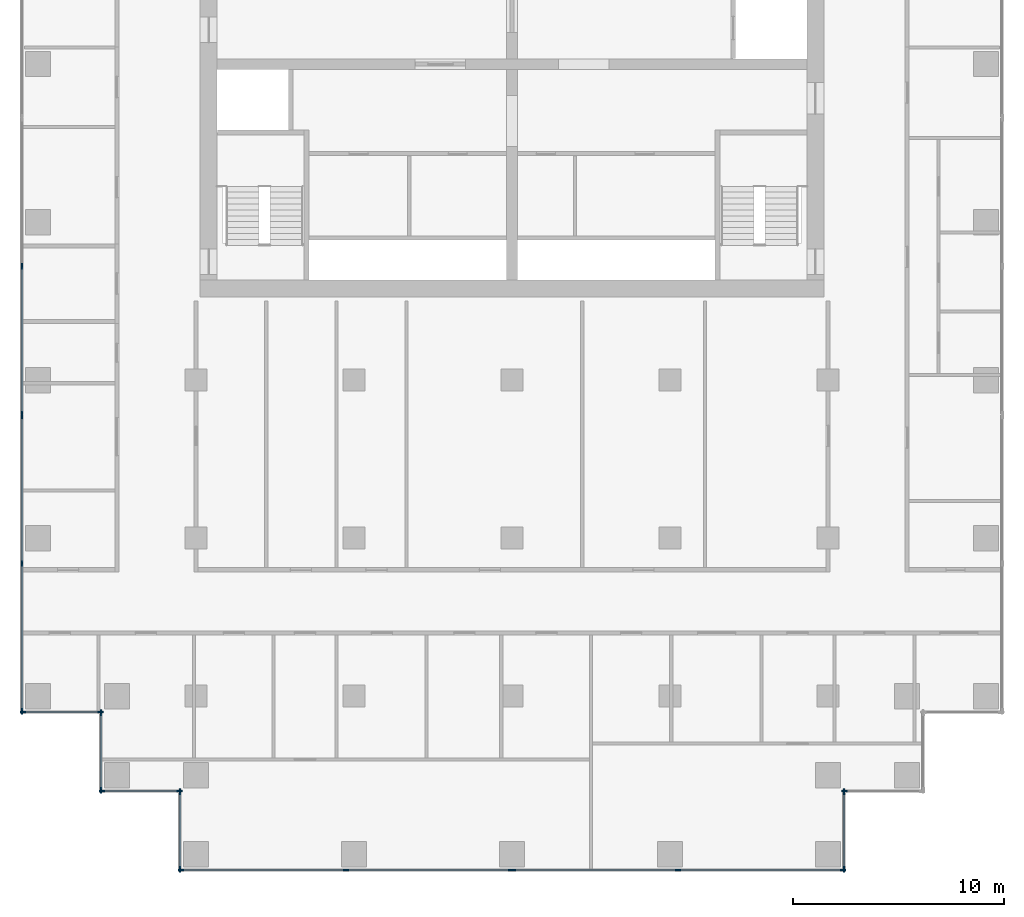
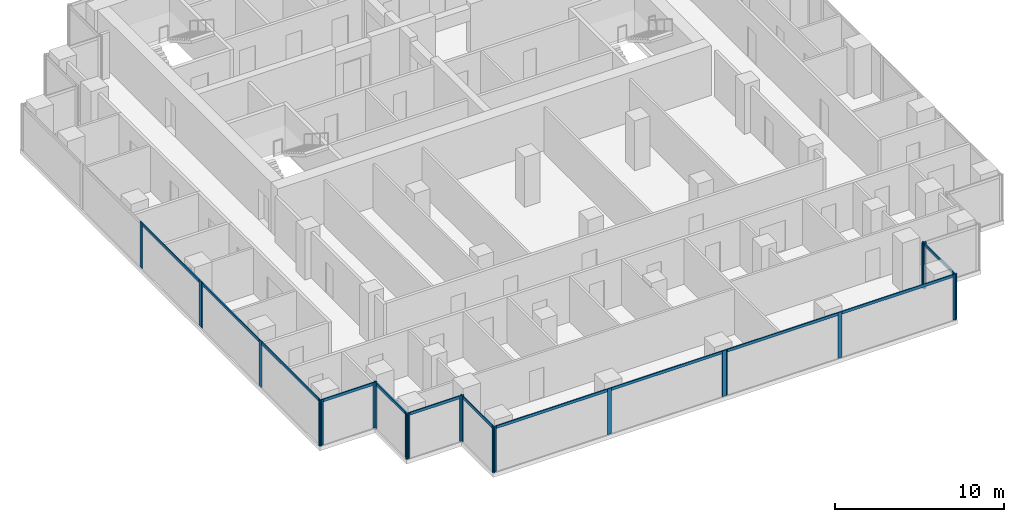
# One storey, part 2 of 11: 34 members, 10 elements without a shape of their own.
"""IFC4 building model written with IfcOpenShell, lengths in metres."""

from ifc_helpers import new_model, si_unit, direction, frame, origin, origin_2d, place, context, subcontext, project, spatial, rectangle, extrude, material, material_profile, profile_set, type_object, element, aggregate, save


model = new_model("IFC4")

# Units and contexts
model_context = context("Model", 3, precision=1e-05, world=origin(), true_north=direction((0.0, 1.0)))
body_context = subcontext(model_context, "Body", "Model", "MODEL_VIEW")
ifc_project = project(units=[si_unit("LENGTHUNIT", "METRE"), si_unit("AREAUNIT", "SQUARE_METRE"), si_unit("VOLUMEUNIT", "CUBIC_METRE"), si_unit("PLANEANGLEUNIT", "RADIAN"), si_unit("MASSUNIT", "GRAM", prefix="KILO")], contexts=[model_context])

# Site, building, storey
site_placement = place(None, origin())
site = spatial("IfcSite", under=ifc_project, at=site_placement, CompositionType="ELEMENT")
building_placement = place(site_placement, origin())
building = spatial("IfcBuilding", under=site, at=building_placement, Name="Pilkhan Gate Tower", CompositionType="ELEMENT")
storey_placement = place(building_placement, frame((0.0, 0.0, 172.89990234375)))
storey = spatial("IfcBuildingStorey", under=building, at=storey_placement, Name="L44", CompositionType="ELEMENT", Elevation=172.89990234375)

# Curtain wall, members
ifc_material_1 = material(Name="Pale anodised aluminium, clear low-iron double glazing", Category="aluminium")
curtain_wall_type = type_object("IfcCurtainWallType", Name="Office unitised curtain wall CW-O1", PredefinedType="USERDEFINED", material=ifc_material_1)
curtain_wall_1_placement = place(storey_placement, origin())
curtain_wall_1 = element("IfcCurtainWall", 1, at=curtain_wall_1_placement, inside=storey, type_object=curtain_wall_type, Name="Office unitised curtain wall CW-O1 L44 W", ObjectType="UNITISED CURTAIN WALL", PredefinedType="USERDEFINED")
ifc_material_2 = material(Name="Pale anodised aluminium", Category="aluminium")
ifc_material_profile_1 = material_profile(ifc_material_2, rectangle(XDim=0.070068359375, YDim=0.27490234375, at=origin_2d()), Name="Mullion 275x70")
ifc_profile_set_1 = profile_set([ifc_material_profile_1], Name="Pale anodised aluminium")
member_type_1 = type_object("IfcMemberType", Name="Mullion CW-O1 275x70", PredefinedType="MULLION", material=ifc_profile_set_1)
member_1_placement = place(storey_placement, frame((51.75, 51.784912109375, 0.0), z_axis=(0.0, 0.0, 1.0), x_axis=(-1.0, 0.0, 0.0)))
member_1 = element("IfcMember", 2, at=member_1_placement, type_object=member_type_1, Name="CW-O1 mullion 1", PredefinedType="MULLION", context=body_context, shape_type="SweptSolid", body=[
    extrude(rectangle(XDim=0.070068359375, YDim=0.27490234375, at=origin_2d()), origin(), (0.0, 0.0, 1.0), 3.300048828125),
])
member_2_placement = place(storey_placement, frame((51.75, 58.800048828125, 0.0), z_axis=(0.0, 0.0, 1.0), x_axis=(-1.0, 0.0, 0.0)))
member_2 = element("IfcMember", 3, at=member_2_placement, type_object=member_type_1, Name="CW-O1 mullion 2", PredefinedType="MULLION", context=body_context, shape_type="SweptSolid", body=[
    extrude(rectangle(XDim=0.070068359375, YDim=0.27490234375, at=origin_2d()), origin(), (0.0, 0.0, 1.0), 3.300048828125),
])
member_3_placement = place(storey_placement, frame((51.75, 65.81494140625, 0.0), z_axis=(0.0, 0.0, 1.0), x_axis=(-1.0, 0.0, 0.0)))
member_3 = element("IfcMember", 4, at=member_3_placement, type_object=member_type_1, Name="CW-O1 mullion 3", PredefinedType="MULLION", context=body_context, shape_type="SweptSolid", body=[
    extrude(rectangle(XDim=0.070068359375, YDim=0.27490234375, at=origin_2d()), origin(), (0.0, 0.0, 1.0), 3.300048828125),
])

curtain_wall_2_placement = place(storey_placement, origin())
curtain_wall_2 = element("IfcCurtainWall", 5, at=curtain_wall_2_placement, inside=storey, type_object=curtain_wall_type, Name="Office unitised curtain wall CW-O1 L44 W", ObjectType="UNITISED CURTAIN WALL", PredefinedType="USERDEFINED")
member_4_placement = place(storey_placement, frame((51.75, 65.885009765625, 0.0), z_axis=(0.0, 0.0, 1.0), x_axis=(-1.0, 0.0, 0.0)))
member_4 = element("IfcMember", 6, at=member_4_placement, type_object=member_type_1, Name="CW-O1 mullion 1", PredefinedType="MULLION", context=body_context, shape_type="SweptSolid", body=[
    extrude(rectangle(XDim=0.070068359375, YDim=0.27490234375, at=origin_2d()), origin(), (0.0, 0.0, 1.0), 3.300048828125),
])
member_5_placement = place(storey_placement, frame((51.75, 72.89990234375, 0.0), z_axis=(0.0, 0.0, 1.0), x_axis=(-1.0, 0.0, 0.0)))
member_5 = element("IfcMember", 7, at=member_5_placement, type_object=member_type_1, Name="CW-O1 mullion 2", PredefinedType="MULLION", context=body_context, shape_type="SweptSolid", body=[
    extrude(rectangle(XDim=0.070068359375, YDim=0.27490234375, at=origin_2d()), origin(), (0.0, 0.0, 1.0), 3.300048828125),
])

curtain_wall_3_placement = place(storey_placement, origin())
curtain_wall_3 = element("IfcCurtainWall", 8, at=curtain_wall_3_placement, inside=storey, type_object=curtain_wall_type, Name="Office unitised curtain wall CW-O1 L44 S", ObjectType="UNITISED CURTAIN WALL", PredefinedType="USERDEFINED")
member_6_placement = place(storey_placement, frame((51.784912109375, 51.75, 0.0), z_axis=(0.0, 0.0, 1.0), x_axis=(0.0, 1.0, 0.0)))
member_6 = element("IfcMember", 9, at=member_6_placement, type_object=member_type_1, Name="CW-O1 mullion 1", PredefinedType="MULLION", context=body_context, shape_type="SweptSolid", body=[
    extrude(rectangle(XDim=0.070068359375, YDim=0.27490234375, at=origin_2d()), origin(), (0.0, 0.0, 1.0), 3.300048828125),
])
member_7_placement = place(storey_placement, frame((55.465087890625, 51.75, 0.0), z_axis=(0.0, 0.0, 1.0), x_axis=(0.0, 1.0, 0.0)))
member_7 = element("IfcMember", 10, at=member_7_placement, type_object=member_type_1, Name="CW-O1 mullion 2", PredefinedType="MULLION", context=body_context, shape_type="SweptSolid", body=[
    extrude(rectangle(XDim=0.070068359375, YDim=0.27490234375, at=origin_2d()), origin(), (0.0, 0.0, 1.0), 3.300048828125),
])

curtain_wall_4_placement = place(storey_placement, origin())
curtain_wall_4 = element("IfcCurtainWall", 11, at=curtain_wall_4_placement, inside=storey, type_object=curtain_wall_type, Name="Office unitised curtain wall CW-O1 L44 W", ObjectType="UNITISED CURTAIN WALL", PredefinedType="USERDEFINED")
member_8_placement = place(storey_placement, frame((55.5, 48.034912109375, 0.0), z_axis=(0.0, 0.0, 1.0), x_axis=(-1.0, 0.0, 0.0)))
member_8 = element("IfcMember", 12, at=member_8_placement, type_object=member_type_1, Name="CW-O1 mullion 1", PredefinedType="MULLION", context=body_context, shape_type="SweptSolid", body=[
    extrude(rectangle(XDim=0.070068359375, YDim=0.27490234375, at=origin_2d()), origin(), (0.0, 0.0, 1.0), 3.300048828125),
])
member_9_placement = place(storey_placement, frame((55.5, 51.715087890625, 0.0), z_axis=(0.0, 0.0, 1.0), x_axis=(-1.0, 0.0, 0.0)))
member_9 = element("IfcMember", 13, at=member_9_placement, type_object=member_type_1, Name="CW-O1 mullion 2", PredefinedType="MULLION", context=body_context, shape_type="SweptSolid", body=[
    extrude(rectangle(XDim=0.070068359375, YDim=0.27490234375, at=origin_2d()), origin(), (0.0, 0.0, 1.0), 3.300048828125),
])

curtain_wall_5_placement = place(storey_placement, origin())
curtain_wall_5 = element("IfcCurtainWall", 14, at=curtain_wall_5_placement, inside=storey, type_object=curtain_wall_type, Name="Office unitised curtain wall CW-O1 L44 S", ObjectType="UNITISED CURTAIN WALL", PredefinedType="USERDEFINED")
member_10_placement = place(storey_placement, frame((55.534912109375, 48.0, 0.0), z_axis=(0.0, 0.0, 1.0), x_axis=(0.0, 1.0, 0.0)))
member_10 = element("IfcMember", 15, at=member_10_placement, type_object=member_type_1, Name="CW-O1 mullion 1", PredefinedType="MULLION", context=body_context, shape_type="SweptSolid", body=[
    extrude(rectangle(XDim=0.070068359375, YDim=0.27490234375, at=origin_2d()), origin(), (0.0, 0.0, 1.0), 3.300048828125),
])
member_11_placement = place(storey_placement, frame((59.215087890625, 48.0, 0.0), z_axis=(0.0, 0.0, 1.0), x_axis=(0.0, 1.0, 0.0)))
member_11 = element("IfcMember", 16, at=member_11_placement, type_object=member_type_1, Name="CW-O1 mullion 2", PredefinedType="MULLION", context=body_context, shape_type="SweptSolid", body=[
    extrude(rectangle(XDim=0.070068359375, YDim=0.27490234375, at=origin_2d()), origin(), (0.0, 0.0, 1.0), 3.300048828125),
])

curtain_wall_6_placement = place(storey_placement, origin())
curtain_wall_6 = element("IfcCurtainWall", 17, at=curtain_wall_6_placement, inside=storey, type_object=curtain_wall_type, Name="Office unitised curtain wall CW-O1 L44 W", ObjectType="UNITISED CURTAIN WALL", PredefinedType="USERDEFINED")
member_12_placement = place(storey_placement, frame((59.25, 44.284912109375, 0.0), z_axis=(0.0, 0.0, 1.0), x_axis=(-1.0, 0.0, 0.0)))
member_12 = element("IfcMember", 18, at=member_12_placement, type_object=member_type_1, Name="CW-O1 mullion 1", PredefinedType="MULLION", context=body_context, shape_type="SweptSolid", body=[
    extrude(rectangle(XDim=0.070068359375, YDim=0.27490234375, at=origin_2d()), origin(), (0.0, 0.0, 1.0), 3.300048828125),
])
member_13_placement = place(storey_placement, frame((59.25, 47.965087890625, 0.0), z_axis=(0.0, 0.0, 1.0), x_axis=(-1.0, 0.0, 0.0)))
member_13 = element("IfcMember", 19, at=member_13_placement, type_object=member_type_1, Name="CW-O1 mullion 2", PredefinedType="MULLION", context=body_context, shape_type="SweptSolid", body=[
    extrude(rectangle(XDim=0.070068359375, YDim=0.27490234375, at=origin_2d()), origin(), (0.0, 0.0, 1.0), 3.300048828125),
])

curtain_wall_7_placement = place(storey_placement, origin())
curtain_wall_7 = element("IfcCurtainWall", 20, at=curtain_wall_7_placement, inside=storey, type_object=curtain_wall_type, Name="Office unitised curtain wall CW-O1 L44 S", ObjectType="UNITISED CURTAIN WALL", PredefinedType="USERDEFINED")
member_14_placement = place(storey_placement, frame((59.284912109375, 44.25, 0.0), z_axis=(0.0, 0.0, 1.0), x_axis=(0.0, 1.0, 0.0)))
member_14 = element("IfcMember", 21, at=member_14_placement, type_object=member_type_1, Name="CW-O1 mullion 1", PredefinedType="MULLION", context=body_context, shape_type="SweptSolid", body=[
    extrude(rectangle(XDim=0.070068359375, YDim=0.27490234375, at=origin_2d()), origin(), (0.0, 0.0, 1.0), 3.300048828125),
])
member_15_placement = place(storey_placement, frame((67.125, 44.25, 0.0), z_axis=(0.0, 0.0, 1.0), x_axis=(0.0, 1.0, 0.0)))
member_15 = element("IfcMember", 22, at=member_15_placement, type_object=member_type_1, Name="CW-O1 mullion 2", PredefinedType="MULLION", context=body_context, shape_type="SweptSolid", body=[
    extrude(rectangle(XDim=0.070068359375, YDim=0.27490234375, at=origin_2d()), origin(), (0.0, 0.0, 1.0), 3.300048828125),
])
member_16_placement = place(storey_placement, frame((74.965087890625, 44.25, 0.0), z_axis=(0.0, 0.0, 1.0), x_axis=(0.0, 1.0, 0.0)))
member_16 = element("IfcMember", 23, at=member_16_placement, type_object=member_type_1, Name="CW-O1 mullion 3", PredefinedType="MULLION", context=body_context, shape_type="SweptSolid", body=[
    extrude(rectangle(XDim=0.070068359375, YDim=0.27490234375, at=origin_2d()), origin(), (0.0, 0.0, 1.0), 3.300048828125),
])

curtain_wall_8_placement = place(storey_placement, origin())
curtain_wall_8 = element("IfcCurtainWall", 24, at=curtain_wall_8_placement, inside=storey, type_object=curtain_wall_type, Name="Office unitised curtain wall CW-O1 L44 S", ObjectType="UNITISED CURTAIN WALL", PredefinedType="USERDEFINED")
member_17_placement = place(storey_placement, frame((75.034912109375, 44.25, 0.0), z_axis=(0.0, 0.0, 1.0), x_axis=(0.0, 1.0, 0.0)))
member_17 = element("IfcMember", 25, at=member_17_placement, type_object=member_type_1, Name="CW-O1 mullion 1", PredefinedType="MULLION", context=body_context, shape_type="SweptSolid", body=[
    extrude(rectangle(XDim=0.070068359375, YDim=0.27490234375, at=origin_2d()), origin(), (0.0, 0.0, 1.0), 3.300048828125),
])
member_18_placement = place(storey_placement, frame((82.875, 44.25, 0.0), z_axis=(0.0, 0.0, 1.0), x_axis=(0.0, 1.0, 0.0)))
member_18 = element("IfcMember", 26, at=member_18_placement, type_object=member_type_1, Name="CW-O1 mullion 2", PredefinedType="MULLION", context=body_context, shape_type="SweptSolid", body=[
    extrude(rectangle(XDim=0.070068359375, YDim=0.27490234375, at=origin_2d()), origin(), (0.0, 0.0, 1.0), 3.300048828125),
])
member_19_placement = place(storey_placement, frame((90.715087890625, 44.25, 0.0), z_axis=(0.0, 0.0, 1.0), x_axis=(0.0, 1.0, 0.0)))
member_19 = element("IfcMember", 27, at=member_19_placement, type_object=member_type_1, Name="CW-O1 mullion 3", PredefinedType="MULLION", context=body_context, shape_type="SweptSolid", body=[
    extrude(rectangle(XDim=0.070068359375, YDim=0.27490234375, at=origin_2d()), origin(), (0.0, 0.0, 1.0), 3.300048828125),
])

curtain_wall_9_placement = place(storey_placement, origin())
curtain_wall_9 = element("IfcCurtainWall", 28, at=curtain_wall_9_placement, inside=storey, type_object=curtain_wall_type, Name="Office unitised curtain wall CW-O1 L44 E", ObjectType="UNITISED CURTAIN WALL", PredefinedType="USERDEFINED")
member_20_placement = place(storey_placement, frame((90.75, 44.284912109375, 0.0), z_axis=(0.0, 0.0, 1.0), x_axis=(-1.0, 0.0, 0.0)))
member_20 = element("IfcMember", 29, at=member_20_placement, type_object=member_type_1, Name="CW-O1 mullion 1", PredefinedType="MULLION", context=body_context, shape_type="SweptSolid", body=[
    extrude(rectangle(XDim=0.070068359375, YDim=0.27490234375, at=origin_2d()), origin(), (0.0, 0.0, 1.0), 3.300048828125),
])
member_21_placement = place(storey_placement, frame((90.75, 47.965087890625, 0.0), z_axis=(0.0, 0.0, 1.0), x_axis=(-1.0, 0.0, 0.0)))
member_21 = element("IfcMember", 30, at=member_21_placement, type_object=member_type_1, Name="CW-O1 mullion 2", PredefinedType="MULLION", context=body_context, shape_type="SweptSolid", body=[
    extrude(rectangle(XDim=0.070068359375, YDim=0.27490234375, at=origin_2d()), origin(), (0.0, 0.0, 1.0), 3.300048828125),
])

# Curtain wall, member
curtain_wall_10_placement = place(storey_placement, origin())
curtain_wall_10 = element("IfcCurtainWall", 31, at=curtain_wall_10_placement, inside=storey, type_object=curtain_wall_type, Name="Office unitised curtain wall CW-O1 L44 S", ObjectType="UNITISED CURTAIN WALL", PredefinedType="USERDEFINED")
member_22_placement = place(storey_placement, frame((90.784912109375, 48.0, 0.0), z_axis=(0.0, 0.0, 1.0), x_axis=(0.0, 1.0, 0.0)))
member_22 = element("IfcMember", 32, at=member_22_placement, type_object=member_type_1, Name="CW-O1 mullion 1", PredefinedType="MULLION", context=body_context, shape_type="SweptSolid", body=[
    extrude(rectangle(XDim=0.070068359375, YDim=0.27490234375, at=origin_2d()), origin(), (0.0, 0.0, 1.0), 3.300048828125),
])
aggregate(curtain_wall_10, [member_22])

# Member
ifc_material_profile_2 = material_profile(ifc_material_2, rectangle(XDim=0.070068359375, YDim=0.199951171875, at=origin_2d()), Name="Transom 200x70")
ifc_profile_set_2 = profile_set([ifc_material_profile_2], Name="Pale anodised aluminium")
member_type_2 = type_object("IfcMemberType", Name="Transom CW-O1 200x70", PredefinedType="USERDEFINED", material=ifc_profile_set_2)
member_23_placement = place(storey_placement, frame((51.75, 51.820068359375, 3.2001953125), z_axis=(0.0, 1.0, 0.0), x_axis=(-1.0, 0.0, 0.0)))
member_23 = element("IfcMember", 33, at=member_23_placement, type_object=member_type_2, Name="CW-O1 transom 1", ObjectType="TRANSOM", PredefinedType="USERDEFINED", context=body_context, shape_type="SweptSolid", body=[
    extrude(rectangle(XDim=0.070068359375, YDim=0.199951171875, at=origin_2d()), origin(), (0.0, 0.0, 1.0), 6.94482421875),
])

member_24_placement = place(storey_placement, frame((51.75, 58.8349609375, 3.2001953125), z_axis=(0.0, 1.0, 0.0), x_axis=(-1.0, 0.0, 0.0)))
member_24 = element("IfcMember", 34, at=member_24_placement, type_object=member_type_2, Name="CW-O1 transom 2", ObjectType="TRANSOM", PredefinedType="USERDEFINED", context=body_context, shape_type="SweptSolid", body=[
    extrude(rectangle(XDim=0.070068359375, YDim=0.199951171875, at=origin_2d()), origin(), (0.0, 0.0, 1.0), 6.945068359375),
])

aggregate(curtain_wall_1, [member_1, member_2, member_3, member_23, member_24])

member_25_placement = place(storey_placement, frame((51.75, 65.919921875, 3.2001953125), z_axis=(0.0, 1.0, 0.0), x_axis=(-1.0, 0.0, 0.0)))
member_25 = element("IfcMember", 35, at=member_25_placement, type_object=member_type_2, Name="CW-O1 transom 1", ObjectType="TRANSOM", PredefinedType="USERDEFINED", context=body_context, shape_type="SweptSolid", body=[
    extrude(rectangle(XDim=0.070068359375, YDim=0.199951171875, at=origin_2d()), origin(), (0.0, 0.0, 1.0), 6.945068359375),
])

aggregate(curtain_wall_2, [member_4, member_5, member_25])

member_26_placement = place(storey_placement, frame((51.820068359375, 51.75, 3.2001953125), z_axis=(1.0, 0.0, 0.0), x_axis=(0.0, 1.0, 0.0)))
member_26 = element("IfcMember", 36, at=member_26_placement, type_object=member_type_2, Name="CW-O1 transom 1", ObjectType="TRANSOM", PredefinedType="USERDEFINED", context=body_context, shape_type="SweptSolid", body=[
    extrude(rectangle(XDim=0.070068359375, YDim=0.199951171875, at=origin_2d()), origin(), (0.0, 0.0, 1.0), 3.60986328125),
])

aggregate(curtain_wall_3, [member_6, member_7, member_26])

member_27_placement = place(storey_placement, frame((55.5, 48.070068359375, 3.2001953125), z_axis=(0.0, 1.0, 0.0), x_axis=(-1.0, 0.0, 0.0)))
member_27 = element("IfcMember", 37, at=member_27_placement, type_object=member_type_2, Name="CW-O1 transom 1", ObjectType="TRANSOM", PredefinedType="USERDEFINED", context=body_context, shape_type="SweptSolid", body=[
    extrude(rectangle(XDim=0.070068359375, YDim=0.199951171875, at=origin_2d()), origin(), (0.0, 0.0, 1.0), 3.60986328125),
])

aggregate(curtain_wall_4, [member_8, member_9, member_27])

member_28_placement = place(storey_placement, frame((55.570068359375, 48.0, 3.2001953125), z_axis=(1.0, 0.0, 0.0), x_axis=(0.0, 1.0, 0.0)))
member_28 = element("IfcMember", 38, at=member_28_placement, type_object=member_type_2, Name="CW-O1 transom 1", ObjectType="TRANSOM", PredefinedType="USERDEFINED", context=body_context, shape_type="SweptSolid", body=[
    extrude(rectangle(XDim=0.070068359375, YDim=0.199951171875, at=origin_2d()), origin(), (0.0, 0.0, 1.0), 3.60986328125),
])

aggregate(curtain_wall_5, [member_10, member_11, member_28])

member_29_placement = place(storey_placement, frame((59.25, 44.320068359375, 3.2001953125), z_axis=(0.0, 1.0, 0.0), x_axis=(-1.0, 0.0, 0.0)))
member_29 = element("IfcMember", 39, at=member_29_placement, type_object=member_type_2, Name="CW-O1 transom 1", ObjectType="TRANSOM", PredefinedType="USERDEFINED", context=body_context, shape_type="SweptSolid", body=[
    extrude(rectangle(XDim=0.070068359375, YDim=0.199951171875, at=origin_2d()), origin(), (0.0, 0.0, 1.0), 3.60986328125),
])

aggregate(curtain_wall_6, [member_12, member_13, member_29])

member_30_placement = place(storey_placement, frame((59.320068359375, 44.25, 3.2001953125), z_axis=(1.0, 0.0, 0.0), x_axis=(0.0, 1.0, 0.0)))
member_30 = element("IfcMember", 40, at=member_30_placement, type_object=member_type_2, Name="CW-O1 transom 1", ObjectType="TRANSOM", PredefinedType="USERDEFINED", context=body_context, shape_type="SweptSolid", body=[
    extrude(rectangle(XDim=0.070068359375, YDim=0.199951171875, at=origin_2d()), origin(), (0.0, 0.0, 1.0), 7.77001953125),
])

member_31_placement = place(storey_placement, frame((67.159912109375, 44.25, 3.2001953125), z_axis=(1.0, 0.0, 0.0), x_axis=(0.0, 1.0, 0.0)))
member_31 = element("IfcMember", 41, at=member_31_placement, type_object=member_type_2, Name="CW-O1 transom 2", ObjectType="TRANSOM", PredefinedType="USERDEFINED", context=body_context, shape_type="SweptSolid", body=[
    extrude(rectangle(XDim=0.070068359375, YDim=0.199951171875, at=origin_2d()), origin(), (0.0, 0.0, 1.0), 7.77001953125),
])

aggregate(curtain_wall_7, [member_14, member_15, member_16, member_30, member_31])

member_32_placement = place(storey_placement, frame((75.070068359375, 44.25, 3.2001953125), z_axis=(1.0, 0.0, 0.0), x_axis=(0.0, 1.0, 0.0)))
member_32 = element("IfcMember", 42, at=member_32_placement, type_object=member_type_2, Name="CW-O1 transom 1", ObjectType="TRANSOM", PredefinedType="USERDEFINED", context=body_context, shape_type="SweptSolid", body=[
    extrude(rectangle(XDim=0.070068359375, YDim=0.199951171875, at=origin_2d()), origin(), (0.0, 0.0, 1.0), 7.77001953125),
])

member_33_placement = place(storey_placement, frame((82.909912109375, 44.25, 3.2001953125), z_axis=(1.0, 0.0, 0.0), x_axis=(0.0, 1.0, 0.0)))
member_33 = element("IfcMember", 43, at=member_33_placement, type_object=member_type_2, Name="CW-O1 transom 2", ObjectType="TRANSOM", PredefinedType="USERDEFINED", context=body_context, shape_type="SweptSolid", body=[
    extrude(rectangle(XDim=0.070068359375, YDim=0.199951171875, at=origin_2d()), origin(), (0.0, 0.0, 1.0), 7.77001953125),
])

aggregate(curtain_wall_8, [member_17, member_18, member_19, member_32, member_33])

member_34_placement = place(storey_placement, frame((90.75, 44.320068359375, 3.2001953125), z_axis=(0.0, 1.0, 0.0), x_axis=(-1.0, 0.0, 0.0)))
member_34 = element("IfcMember", 44, at=member_34_placement, type_object=member_type_2, Name="CW-O1 transom 1", ObjectType="TRANSOM", PredefinedType="USERDEFINED", context=body_context, shape_type="SweptSolid", body=[
    extrude(rectangle(XDim=0.070068359375, YDim=0.199951171875, at=origin_2d()), origin(), (0.0, 0.0, 1.0), 3.60986328125),
])

aggregate(curtain_wall_9, [member_20, member_21, member_34])

save(model, "model.ifc")
